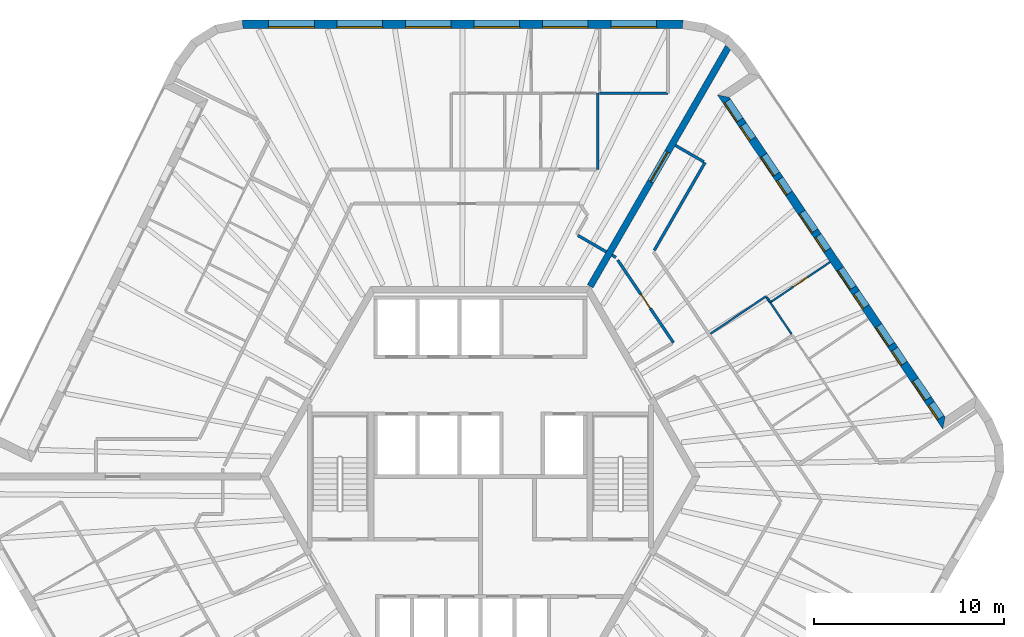
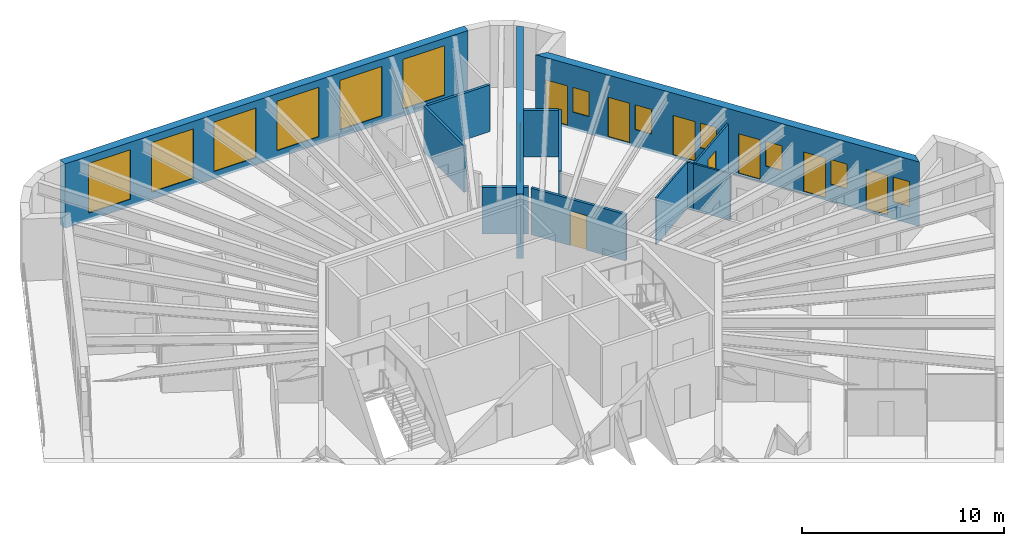
# One storey, part 9 of 11: 14 walls, 12 windows, 9 doors, 21 openings.
"""IFC4 building model written with IfcOpenShell, lengths in metres."""

import ifcopenshell
import ifcopenshell.guid

model = None  # the IFC model being written
_history = None  # IfcOwnerHistory: only IFC2X3 demands one
_inside = {}  # id of a spatial element -> (the spatial element, [elements in it])
_under = {}  # id of a project, library or spatial element -> (it, [spatial elements below it])
_declared = {}  # id of a project -> (the project, [libraries it declares])
_typed = {}  # id of a type object -> (the type object, [elements of that type])
_made_of = {}  # id of a material, layer set ... -> (it, [elements and type objects made of it])


def new_model(schema):
    """Start an empty IFC model of exactly this schema.

    Asked for "IFC4X3", IfcOpenShell would pick the latest addendum, in which some entities
    have other attributes; the version numbers below select the first issue.
    IFC2X3 requires an IfcOwnerHistory on every rooted entity: one is made here for all.
    """
    global model, _history
    if schema == "IFC4X3":
        model = ifcopenshell.file(schema_version=(4, 3, 0, 0))
    else:
        model = ifcopenshell.file(schema=schema)
    _inside.clear()
    _under.clear()
    _declared.clear()
    _typed.clear()
    _made_of.clear()
    _history = None
    if model.schema == "IFC2X3":
        org = make("IfcOrganization", Name="unknown")
        user = make(
            "IfcPersonAndOrganization",
            ThePerson=make("IfcPerson", FamilyName="unknown"),
            TheOrganization=org,
        )
        app = make(
            "IfcApplication",
            ApplicationDeveloper=org,
            Version="unknown",
            ApplicationFullName="unknown",
            ApplicationIdentifier="unknown",
        )
        _history = make(
            "IfcOwnerHistory",
            OwningUser=user,
            OwningApplication=app,
            ChangeAction="ADDED",
            CreationDate=0,
        )
    return model


def make(cls, **values):
    """One entity of the class cls with the attributes given. An attribute that is None is left unset."""
    return model.create_entity(
        cls, **{name: value for name, value in values.items() if value is not None}
    )


def rooted(cls, **values):
    """An entity with a GlobalId (a new one), such as an element, a storey or a relation."""
    return make(cls, GlobalId=ifcopenshell.guid.new(), OwnerHistory=_history, **values)


def si_unit(unit_type, name, prefix=None):
    """IfcSIUnit, for example si_unit("LENGTHUNIT", "METRE", prefix="MILLI")."""
    return make("IfcSIUnit", UnitType=unit_type, Prefix=prefix, Name=name)


def assignment(units):
    """IfcUnitAssignment: the units of a project."""
    return None if units is None else make("IfcUnitAssignment", Units=units)


def point(xyz):
    """IfcCartesianPoint."""
    return None if xyz is None else make("IfcCartesianPoint", Coordinates=xyz)


def direction(xyz):
    """IfcDirection."""
    return None if xyz is None else make("IfcDirection", DirectionRatios=xyz)


def frame(location, z_axis=None, x_axis=None):
    """IfcAxis2Placement3D, a coordinate frame: its origin and axes. An axis left out is left unset."""
    return make(
        "IfcAxis2Placement3D",
        Location=point(location),
        Axis=direction(z_axis),
        RefDirection=direction(x_axis),
    )


def frame_2d(location, x_axis=None):
    """IfcAxis2Placement2D, a coordinate frame in the plane: its origin and x axis."""
    return make(
        "IfcAxis2Placement2D", Location=point(location), RefDirection=direction(x_axis)
    )


def origin():
    """The frame at (0, 0, 0) with its axes left unset."""
    return frame((0.0, 0.0, 0.0))


def place(relative_to, where):
    """IfcLocalPlacement: puts the frame where relative to a parent placement (None: the world)."""
    return make(
        "IfcLocalPlacement", PlacementRelTo=relative_to, RelativePlacement=where
    )


def context(
    kind, dimensions, precision=None, world=None, true_north=None, identifier=None
):
    """IfcGeometricRepresentationContext, for example the 3D "Model" context."""
    return make(
        "IfcGeometricRepresentationContext",
        ContextIdentifier=identifier,
        ContextType=kind,
        CoordinateSpaceDimension=dimensions,
        Precision=precision,
        WorldCoordinateSystem=world,
        TrueNorth=true_north,
    )


def subcontext(parent, identifier, kind, view, scale=None):
    """IfcGeometricRepresentationSubContext, for example "Body" below "Model"."""
    return make(
        "IfcGeometricRepresentationSubContext",
        ContextIdentifier=identifier,
        ContextType=kind,
        ParentContext=parent,
        TargetScale=scale,
        TargetView=view,
    )


def project(units=None, contexts=None):
    """IfcProject with its units and contexts."""
    return rooted(
        "IfcProject",
        Name="project",
        RepresentationContexts=contexts,
        UnitsInContext=assignment(units),
    )


def spatial(cls, under=None, at=None, **own):
    """A site, building, storey or space (cls), placed at a placement, below another one or the project."""
    s = rooted(cls, ObjectPlacement=at, **own)
    if under is not None:
        _under.setdefault(under.id(), (under, []))[1].append(s)
    return s


def polyline(points):
    """IfcPolyline through the points."""
    return make("IfcPolyline", Points=[point(p) for p in points])


def profile(cls, at=None, kind="AREA", **sizes):
    """A parametric profile (cls). Its sizes go by their IFC names, for example OverallWidth=200.0."""
    return make(cls, ProfileType=kind, Position=at, **sizes)


def rectangle(**sizes):
    """IfcRectangleProfileDef."""
    return profile("IfcRectangleProfileDef", **sizes)


def outline(outer, holes=None, kind="AREA"):
    """IfcArbitraryClosedProfileDef: a profile drawn as a closed curve; with holes, ...WithVoids."""
    if holes is None:
        return make("IfcArbitraryClosedProfileDef", ProfileType=kind, OuterCurve=outer)
    return make(
        "IfcArbitraryProfileDefWithVoids",
        ProfileType=kind,
        OuterCurve=outer,
        InnerCurves=holes,
    )


def extrude(swept, where, along, depth):
    """IfcExtrudedAreaSolid: the profile swept, set in the frame where, extruded along a direction by depth."""
    return make(
        "IfcExtrudedAreaSolid",
        SweptArea=swept,
        Position=where,
        ExtrudedDirection=direction(along),
        Depth=depth,
    )


def shape(context_of_items, identifier, shape_type, items):
    """IfcShapeRepresentation: the items that make up one representation, for example the "Body"."""
    return make(
        "IfcShapeRepresentation",
        ContextOfItems=context_of_items,
        RepresentationIdentifier=identifier,
        RepresentationType=shape_type,
        Items=items,
    )


def material(Name=None, Category=None):
    """IfcMaterial."""
    return make("IfcMaterial", Name=Name, Category=Category)


def layer(
    of_material, thickness, ventilated=None, Name=None, Category=None, Priority=None
):
    """IfcMaterialLayer: one layer of a wall or slab, of a material (None: an air gap)."""
    return make(
        "IfcMaterialLayer",
        Material=of_material,
        LayerThickness=thickness,
        IsVentilated=ventilated,
        Name=Name,
        Category=Category,
        Priority=Priority,
    )


def layer_set(layers, Name=None):
    """IfcMaterialLayerSet."""
    return make("IfcMaterialLayerSet", MaterialLayers=layers, LayerSetName=Name)


def made_of(thing, what):
    """Note that an element or type object is made of a material, layer set ...; save() writes the relation."""
    if what is not None:
        _made_of.setdefault(what.id(), (what, []))[1].append(thing)
    return thing


def type_object(cls, material=None, **own):
    """A type object (cls), such as IfcWallType, which elements share."""
    return made_of(rooted(cls, **own), material)


def element(
    cls,
    number,
    at=None,
    inside=None,
    cuts=None,
    type_object=None,
    material=None,
    context=None,
    identifier="Body",
    shape_type=None,
    held_by="IfcProductDefinitionShape",
    body=None,
    shapes=None,
    **own,
):
    """One element of the class cls, such as IfcWall. Its Tag is "e" and its number.

    at: its placement. inside: the storey or other place that contains it. cuts: it is an
    opening in that element (IfcRelVoidsElement). A single representation is given by context,
    identifier, shape_type and body (its items); several are given by shapes. held_by: the class
    of the entity that holds the representations. save() writes the other relations.
    """
    e = rooted(cls, Tag="e%d" % number, ObjectPlacement=at, **own)
    if body is not None:
        shapes = [shape(context, identifier, shape_type, body)]
    if shapes is not None:
        e.Representation = make(held_by, Representations=shapes)
    if inside is not None:
        _inside.setdefault(inside.id(), (inside, []))[1].append(e)
    if cuts is not None:
        rooted(
            "IfcRelVoidsElement", RelatingBuildingElement=cuts, RelatedOpeningElement=e
        )
    if type_object is not None:
        _typed.setdefault(type_object.id(), (type_object, []))[1].append(e)
    return made_of(e, material)


def fill(opening, filler):
    """IfcRelFillsElement: the door or window that sits in an opening."""
    return rooted(
        "IfcRelFillsElement",
        RelatingOpeningElement=opening,
        RelatedBuildingElement=filler,
    )


def aggregate(whole, parts):
    """IfcRelAggregates: a whole, such as a stair, and the parts it consists of."""
    return rooted("IfcRelAggregates", RelatingObject=whole, RelatedObjects=parts)


def save(model, path):
    """Write the relations noted so far, then the file.

    IfcRelAggregates (storeys below a building ...), IfcRelContainedInSpatialStructure (elements
    in a storey), IfcRelDefinesByType, IfcRelAssociatesMaterial and IfcRelDeclares: one each for
    every whole, place, type object, material and project.
    """
    for whole, parts in _under.values():
        aggregate(whole, parts)
    for where, things in _inside.values():
        rooted(
            "IfcRelContainedInSpatialStructure",
            RelatedElements=things,
            RelatingStructure=where,
        )
    for kind, things in _typed.values():
        rooted("IfcRelDefinesByType", RelatedObjects=things, RelatingType=kind)
    for what, things in _made_of.values():
        rooted("IfcRelAssociatesMaterial", RelatedObjects=things, RelatingMaterial=what)
    for by, libraries in _declared.values():
        rooted("IfcRelDeclares", RelatingContext=by, RelatedDefinitions=libraries)
    model.write(path)


model = new_model("IFC4")

# Units and contexts
model_context = context("Model", 3, precision=1e-05, world=origin(), true_north=direction((0.0, 1.0)))
body_context = subcontext(model_context, "Body", "Model", "MODEL_VIEW")
ifc_project = project(units=[si_unit("LENGTHUNIT", "METRE"), si_unit("AREAUNIT", "SQUARE_METRE"), si_unit("VOLUMEUNIT", "CUBIC_METRE"), si_unit("PLANEANGLEUNIT", "RADIAN"), si_unit("MASSUNIT", "GRAM", prefix="KILO")], contexts=[model_context])

# Site, building, storey
site_placement = place(None, origin())
site = spatial("IfcSite", under=ifc_project, at=site_placement, CompositionType="ELEMENT")
building_placement = place(site_placement, origin())
building = spatial("IfcBuilding", under=site, at=building_placement, Name="Tarnside Tower", CompositionType="ELEMENT")
storey_placement = place(building_placement, frame((0.0, 0.0, 353.39990234375)))
storey = spatial("IfcBuildingStorey", under=building, at=storey_placement, Name="L85", CompositionType="ELEMENT", Elevation=353.39990234375)

# Walls
ifc_material_1 = material(Name="Gypsum board partition on steel studs", Category="steel")
ifc_layer_1 = layer(ifc_material_1, 0.10009765625)
ifc_layer_set_1 = layer_set([ifc_layer_1], Name="Bathroom wall 100")
wall_type_1 = type_object("IfcWallType", Name="Bathroom wall 100", PredefinedType="PARTITIONING", material=ifc_layer_set_1)
wall_1_placement = place(storey_placement, frame((12.09619140625, 7.50537109375, 0.0), z_axis=(0.0, 0.0, 1.0), x_axis=(0.829065408555, 0.559151632687, 0.0)))
element("IfcWall", 1, at=wall_1_placement, inside=storey, type_object=wall_type_1, Name="Bathroom wall 27120", PredefinedType="PARTITIONING", context=body_context, shape_type="SweptSolid", body=[
    extrude(rectangle(XDim=3.52490234375, YDim=0.10009765625, at=frame_2d((1.762451171875, 0.0))), origin(), (0.0, 0.0, 1.0), 2.820068359375),
])
wall_2_placement = place(storey_placement, frame((15.04638671875, 9.43505859375, 0.0), z_axis=(0.0, 0.0, 1.0), x_axis=(0.559141668278, -0.829072128826, 0.0)))
element("IfcWall", 2, at=wall_2_placement, inside=storey, type_object=wall_type_1, Name="Bathroom wall 27121", PredefinedType="PARTITIONING", context=body_context, shape_type="SweptSolid", body=[
    extrude(rectangle(XDim=0.341796875, YDim=0.10009765625, at=frame_2d((0.1708984375, 0.0))), origin(), (0.0, 0.0, 1.0), 2.820068359375),
])
wall_3_placement = place(storey_placement, frame((15.2353515625, 9.155029296875, 0.0), z_axis=(0.0, 0.0, 1.0), x_axis=(0.559199850123, -0.829032886937, 0.0)))
element("IfcWall", 3, at=wall_3_placement, inside=storey, type_object=wall_type_1, Name="Bathroom wall 27130", PredefinedType="PARTITIONING", context=body_context, shape_type="SweptSolid", body=[
    extrude(rectangle(XDim=2.01220703125, YDim=0.10009765625, at=frame_2d((1.006103515625, 0.0))), origin(), (0.0, 0.0, 1.0), 2.820068359375),
])

# Wall, opening, door
ifc_material_2 = material(Name="Concrete C50/60", Category="concrete")
ifc_layer_2 = layer(ifc_material_2, 0.35009765625)
ifc_layer_set_2 = layer_set([ifc_layer_2], Name="Core wall Z4 350 C50/60")
wall_type_2 = type_object("IfcWallType", Name="Core wall Z4 350 C50/60", PredefinedType="SHEAR", material=ifc_layer_set_2)
wall_4_placement = place(storey_placement, frame((5.7734375, 10.0, -0.14990234375), z_axis=(0.0, 0.0, 1.0), x_axis=(0.500007911273, 0.866020836161, 0.0)))
wall_4 = element("IfcWall", 4, at=wall_4_placement, inside=storey, type_object=wall_type_2, Name="L85 spine wall 1", PredefinedType="SHEAR", context=body_context, shape_type="SweptSolid", body=[
    extrude(rectangle(XDim=14.510498046875, YDim=0.35009765625, at=frame_2d((7.25537109375, 0.0))), origin(), (0.0, 0.0, 1.0), 3.89990234375),
])
opening_1_placement = place(wall_4_placement, frame((6.355224609375, 0.0, 0.14990234375)))
opening_1 = element("IfcOpeningElement", 5, at=opening_1_placement, cuts=wall_4, Name="Opening CD-SPN", PredefinedType="OPENING", context=body_context, shape_type="SweptSolid", body=[
    extrude(rectangle(XDim=1.800048828125, YDim=2.39990234375, at=frame_2d((0.89990234375, 1.199951171875))), frame((0.0, 0.18505859375, 0.0), z_axis=(0.0, -1.0, 0.0), x_axis=(1.0, 0.0, 0.0)), (0.0, 0.0, 1.0), 0.3701171875),
])
ifc_material_3 = material(Name="Steel fire door", Category="steel")
door_type_1 = type_object("IfcDoorType", Name="Spine passage double door FD60 1800x2400", OperationType="NOTDEFINED", PredefinedType="DOOR", material=ifc_material_3)
door_1_placement = place(opening_1_placement, origin())
door_1 = element("IfcDoor", 6, at=door_1_placement, inside=storey, type_object=door_type_1, Name="L85 spine passage door 1", OperationType="DOUBLE_DOOR_SINGLE_SWING", OverallHeight=2.39990234375, OverallWidth=1.800048828125, PredefinedType="DOOR", context=body_context, shape_type="SweptSolid", body=[
    extrude(rectangle(XDim=1.800048828125, YDim=2.39990234375, at=frame_2d((0.89990234375, 1.199951171875))), frame((0.0, 0.02490234375, 0.0), z_axis=(0.0, -1.0, 0.0), x_axis=(1.0, 0.0, 0.0)), (0.0, 0.0, 1.0), 0.050048828125),
])
fill(opening_1, door_1)

# Walls
ifc_layer_3 = layer(ifc_material_1, 0.14990234375)
ifc_layer_set_3 = layer_set([ifc_layer_3], Name="Corridor wall 150 EI 60")
wall_type_3 = type_object("IfcWallType", Name="Corridor wall 150 EI 60", PredefinedType="PARTITIONING", material=ifc_layer_set_3)
wall_5_placement = place(storey_placement, frame((6.174560546875, 20.14990234375, 0.0), z_axis=(0.0, 0.0, 1.0), x_axis=(0.0, -1.0, 0.0)))
element("IfcWall", 7, at=wall_5_placement, inside=storey, type_object=wall_type_3, Name="Corridor wall 27003", PredefinedType="PARTITIONING", context=body_context, shape_type="SweptSolid", body=[
    extrude(rectangle(XDim=4.0, YDim=0.14990234375, at=frame_2d((2.0, 0.0))), origin(), (0.0, 0.0, 1.0), 2.820068359375),
])
wall_6_placement = place(storey_placement, frame((9.8671875, 20.14990234375, 0.0), z_axis=(0.0, 0.0, 1.0), x_axis=(-1.0, 0.0, 0.0)))
element("IfcWall", 8, at=wall_6_placement, inside=storey, type_object=wall_type_3, Name="Corridor wall 27006", PredefinedType="PARTITIONING", context=body_context, shape_type="SweptSolid", body=[
    extrude(rectangle(XDim=3.598876953125, YDim=0.14990234375, at=frame_2d((1.79931640625, 0.0))), origin(), (0.0, 0.0, 1.0), 2.820068359375),
])
wall_7_placement = place(storey_placement, frame((5.124755859375, 12.676513671875, 0.0), z_axis=(0.0, 0.0, 1.0), x_axis=(0.866013532718, -0.500020560727, 0.0)))
element("IfcWall", 9, at=wall_7_placement, inside=storey, type_object=wall_type_3, Name="Corridor wall 27023", PredefinedType="PARTITIONING", context=body_context, shape_type="SweptSolid", body=[
    extrude(rectangle(XDim=1.72509765625, YDim=0.14990234375, at=frame_2d((0.862548828125, 0.0))), origin(), (0.0, 0.0, 1.0), 2.820068359375),
])
wall_8_placement = place(storey_placement, frame((9.14208984375, 11.884765625, 0.0), z_axis=(0.0, 0.0, 1.0), x_axis=(0.500004822225, 0.866022619654, 0.0)))
element("IfcWall", 10, at=wall_8_placement, inside=storey, type_object=wall_type_3, Name="Corridor wall 27053", PredefinedType="PARTITIONING", context=body_context, shape_type="SweptSolid", body=[
    extrude(rectangle(XDim=5.3388671875, YDim=0.14990234375, at=frame_2d((2.66943359375, 0.0))), origin(), (0.0, 0.0, 1.0), 2.820068359375),
])
wall_9_placement = place(storey_placement, frame((11.74658203125, 16.545654296875, 0.0), z_axis=(0.0, 0.0, 1.0), x_axis=(-0.866013532718, 0.500020560727, 0.0)))
element("IfcWall", 11, at=wall_9_placement, inside=storey, type_object=wall_type_3, Name="Corridor wall 27054", PredefinedType="PARTITIONING", context=body_context, shape_type="SweptSolid", body=[
    extrude(rectangle(XDim=1.72509765625, YDim=0.14990234375, at=frame_2d((0.862548828125, 0.0))), origin(), (0.0, 0.0, 1.0), 2.820068359375),
])
wall_10_placement = place(storey_placement, frame((6.921875, 11.638916015625, 0.0), z_axis=(0.0, 0.0, 1.0), x_axis=(0.866254745882, -0.499602557277, 0.0)))
element("IfcWall", 12, at=wall_10_placement, inside=storey, type_object=wall_type_3, Name="Corridor wall 27067", PredefinedType="PARTITIONING", context=body_context, shape_type="SweptSolid", body=[
    extrude(rectangle(XDim=0.235107421875, YDim=0.14990234375, at=frame_2d((0.11767578125, 0.0))), origin(), (0.0, 0.0, 1.0), 2.820068359375),
])

# Wall, opening, door
wall_11_placement = place(storey_placement, frame((7.22119140625, 11.379638671875, 0.0), z_axis=(0.0, 0.0, 1.0), x_axis=(0.559200548931, -0.829032415576, 0.0)))
wall_11 = element("IfcWall", 13, at=wall_11_placement, inside=storey, type_object=wall_type_3, Name="Corridor wall 27068", PredefinedType="PARTITIONING", context=body_context, shape_type="SweptSolid", body=[
    extrude(rectangle(XDim=5.236083984375, YDim=0.14990234375, at=frame_2d((2.6181640625, 0.0))), origin(), (0.0, 0.0, 1.0), 2.820068359375),
])
opening_2_placement = place(wall_11_placement, frame((2.16796875, 0.0, 0.0)))
opening_2 = element("IfcOpeningElement", 14, at=opening_2_placement, cuts=wall_11, Name="Opening D-S1", PredefinedType="OPENING", context=body_context, shape_type="SweptSolid", body=[
    extrude(rectangle(XDim=0.89990234375, YDim=2.10009765625, at=frame_2d((0.449951171875, 1.050048828125))), frame((0.0, 0.0849609375, 0.0), z_axis=(0.0, -1.0, 0.0), x_axis=(1.0, 0.0, 0.0)), (0.0, 0.0, 1.0), 0.169921875),
])
ifc_material_4 = material(Name="Timber door leaf", Category="wood")
door_type_2 = type_object("IfcDoorType", Name="Service room door 900 FD30S", OperationType="NOTDEFINED", PredefinedType="DOOR", material=ifc_material_4)
door_2_placement = place(opening_2_placement, origin())
door_2 = element("IfcDoor", 15, at=door_2_placement, inside=storey, type_object=door_type_2, Name="Service door 27065", OperationType="SINGLE_SWING_RIGHT", OverallHeight=2.10009765625, OverallWidth=0.89990234375, PredefinedType="DOOR", context=body_context, shape_type="SweptSolid", body=[
    extrude(rectangle(XDim=0.89990234375, YDim=2.10009765625, at=frame_2d((0.449951171875, 1.050048828125))), frame((0.0, 0.02490234375, 0.0), z_axis=(0.0, -1.0, 0.0), x_axis=(1.0, 0.0, 0.0)), (0.0, 0.0, 1.0), 0.050048828125),
])
fill(opening_2, door_2)

# Wall, openings, doors, windows
ifc_material_5 = material(Name="Dark zinc cladding")
ifc_layer_4 = layer(ifc_material_5, 0.10205078125)
ifc_material_6 = material(Name="Concrete C60/75 precast", Category="concrete")
ifc_layer_5 = layer(ifc_material_6, 0.248046875)
ifc_material_7 = material(Name="Mineral wool insulation")
ifc_layer_6 = layer(ifc_material_7, 0.10009765625)
ifc_layer_set_4 = layer_set([ifc_layer_4, ifc_layer_5, ifc_layer_6], Name="Loggia wall 450 zinc faced")
wall_type_4 = type_object("IfcWallType", Name="Loggia wall 450 zinc faced", PredefinedType="SOLIDWALL", material=ifc_layer_set_4)
wall_12_placement = place(storey_placement, frame((24.36962890625, 2.810546875, -0.14990234375), z_axis=(0.0, 0.0, 1.0), x_axis=(-0.559187034749, 0.829041531027, 0.0)))
wall_12 = element("IfcWall", 16, at=wall_12_placement, inside=storey, type_object=wall_type_4, Name="Tube wall L85 F6 back 30", PredefinedType="SOLIDWALL", context=body_context, shape_type="SweptSolid", body=[
    extrude(outline(polyline([(0.224853515625, -0.22509765625), (20.50634765625, -0.22509765625), (20.95654296875, 0.22509765625), (-0.224853515625, 0.22509765625), (0.224853515625, -0.22509765625)])), origin(), (0.0, 0.0, 1.0), 3.89990234375),
])
opening_3_placement = place(wall_12_placement, frame((0.324951171875, 0.0, 1.050048828125)))
opening_3 = element("IfcOpeningElement", 17, at=opening_3_placement, cuts=wall_12, Name="Opening WL450", PredefinedType="OPENING", context=body_context, shape_type="SweptSolid", body=[
    extrude(rectangle(XDim=0.89990234375, YDim=1.5, at=frame_2d((0.449951171875, 0.75))), frame((0.0, 0.23486328125, 0.0), z_axis=(0.0, -1.0, 0.0), x_axis=(1.0, 0.0, 0.0)), (0.0, 0.0, 1.0), 0.469970703125),
])
opening_4_placement = place(wall_12_placement, frame((1.52490234375, 0.0, 0.14990234375)))
opening_4 = element("IfcOpeningElement", 18, at=opening_4_placement, cuts=wall_12, Name="Opening DB450", PredefinedType="OPENING", context=body_context, shape_type="SweptSolid", body=[
    extrude(rectangle(XDim=1.199951171875, YDim=2.39990234375, at=frame_2d((0.60009765625, 1.199951171875))), frame((0.0, 0.23486328125, 0.0), z_axis=(0.0, -1.0, 0.0), x_axis=(1.0, 0.0, 0.0)), (0.0, 0.0, 1.0), 0.469970703125),
])
opening_5_placement = place(wall_12_placement, frame((3.765869140625, 0.0, 1.050048828125)))
opening_5 = element("IfcOpeningElement", 19, at=opening_5_placement, cuts=wall_12, Name="Opening WL450", PredefinedType="OPENING", context=body_context, shape_type="SweptSolid", body=[
    extrude(rectangle(XDim=0.89990234375, YDim=1.5, at=frame_2d((0.449951171875, 0.75))), frame((0.0, 0.23486328125, 0.0), z_axis=(0.0, -1.0, 0.0), x_axis=(1.0, 0.0, 0.0)), (0.0, 0.0, 1.0), 0.469970703125),
])
opening_6_placement = place(wall_12_placement, frame((4.9658203125, 0.0, 0.14990234375)))
opening_6 = element("IfcOpeningElement", 20, at=opening_6_placement, cuts=wall_12, Name="Opening DB450", PredefinedType="OPENING", context=body_context, shape_type="SweptSolid", body=[
    extrude(rectangle(XDim=1.199951171875, YDim=2.39990234375, at=frame_2d((0.60009765625, 1.199951171875))), frame((0.0, 0.23486328125, 0.0), z_axis=(0.0, -1.0, 0.0), x_axis=(1.0, 0.0, 0.0)), (0.0, 0.0, 1.0), 0.469970703125),
])
opening_7_placement = place(wall_12_placement, frame((7.36572265625, 0.0, 1.050048828125)))
opening_7 = element("IfcOpeningElement", 21, at=opening_7_placement, cuts=wall_12, Name="Opening WL450", PredefinedType="OPENING", context=body_context, shape_type="SweptSolid", body=[
    extrude(rectangle(XDim=0.89990234375, YDim=1.5, at=frame_2d((0.449951171875, 0.75))), frame((0.0, 0.23486328125, 0.0), z_axis=(0.0, -1.0, 0.0), x_axis=(1.0, 0.0, 0.0)), (0.0, 0.0, 1.0), 0.469970703125),
])
opening_8_placement = place(wall_12_placement, frame((8.56591796875, 0.0, 0.14990234375)))
opening_8 = element("IfcOpeningElement", 22, at=opening_8_placement, cuts=wall_12, Name="Opening DB450", PredefinedType="OPENING", context=body_context, shape_type="SweptSolid", body=[
    extrude(rectangle(XDim=1.199951171875, YDim=2.39990234375, at=frame_2d((0.60009765625, 1.199951171875))), frame((0.0, 0.23486328125, 0.0), z_axis=(0.0, -1.0, 0.0), x_axis=(1.0, 0.0, 0.0)), (0.0, 0.0, 1.0), 0.469970703125),
])
opening_9_placement = place(wall_12_placement, frame((10.9658203125, 0.0, 1.050048828125)))
opening_9 = element("IfcOpeningElement", 23, at=opening_9_placement, cuts=wall_12, Name="Opening WL450", PredefinedType="OPENING", context=body_context, shape_type="SweptSolid", body=[
    extrude(rectangle(XDim=0.89990234375, YDim=1.5, at=frame_2d((0.449951171875, 0.75))), frame((0.0, 0.23486328125, 0.0), z_axis=(0.0, -1.0, 0.0), x_axis=(1.0, 0.0, 0.0)), (0.0, 0.0, 1.0), 0.469970703125),
])
opening_10_placement = place(wall_12_placement, frame((12.165771484375, 0.0, 0.14990234375)))
opening_10 = element("IfcOpeningElement", 24, at=opening_10_placement, cuts=wall_12, Name="Opening DB450", PredefinedType="OPENING", context=body_context, shape_type="SweptSolid", body=[
    extrude(rectangle(XDim=1.199951171875, YDim=2.39990234375, at=frame_2d((0.60009765625, 1.199951171875))), frame((0.0, 0.23486328125, 0.0), z_axis=(0.0, -1.0, 0.0), x_axis=(1.0, 0.0, 0.0)), (0.0, 0.0, 1.0), 0.469970703125),
])
opening_11_placement = place(wall_12_placement, frame((14.56591796875, 0.0, 1.050048828125)))
opening_11 = element("IfcOpeningElement", 25, at=opening_11_placement, cuts=wall_12, Name="Opening WL450", PredefinedType="OPENING", context=body_context, shape_type="SweptSolid", body=[
    extrude(rectangle(XDim=0.89990234375, YDim=1.5, at=frame_2d((0.449951171875, 0.75))), frame((0.0, 0.23486328125, 0.0), z_axis=(0.0, -1.0, 0.0), x_axis=(1.0, 0.0, 0.0)), (0.0, 0.0, 1.0), 0.469970703125),
])
opening_12_placement = place(wall_12_placement, frame((15.765869140625, 0.0, 0.14990234375)))
opening_12 = element("IfcOpeningElement", 26, at=opening_12_placement, cuts=wall_12, Name="Opening DB450", PredefinedType="OPENING", context=body_context, shape_type="SweptSolid", body=[
    extrude(rectangle(XDim=1.199951171875, YDim=2.39990234375, at=frame_2d((0.60009765625, 1.199951171875))), frame((0.0, 0.23486328125, 0.0), z_axis=(0.0, -1.0, 0.0), x_axis=(1.0, 0.0, 0.0)), (0.0, 0.0, 1.0), 0.469970703125),
])
opening_13_placement = place(wall_12_placement, frame((18.006591796875, 0.0, 1.050048828125)))
opening_13 = element("IfcOpeningElement", 27, at=opening_13_placement, cuts=wall_12, Name="Opening WL450", PredefinedType="OPENING", context=body_context, shape_type="SweptSolid", body=[
    extrude(rectangle(XDim=0.89990234375, YDim=1.5, at=frame_2d((0.449951171875, 0.75))), frame((0.0, 0.23486328125, 0.0), z_axis=(0.0, -1.0, 0.0), x_axis=(1.0, 0.0, 0.0)), (0.0, 0.0, 1.0), 0.469970703125),
])
opening_14_placement = place(wall_12_placement, frame((19.20654296875, 0.0, 0.14990234375)))
opening_14 = element("IfcOpeningElement", 28, at=opening_14_placement, cuts=wall_12, Name="Opening DB450", PredefinedType="OPENING", context=body_context, shape_type="SweptSolid", body=[
    extrude(rectangle(XDim=1.199951171875, YDim=2.39990234375, at=frame_2d((0.60009765625, 1.199951171875))), frame((0.0, 0.23486328125, 0.0), z_axis=(0.0, -1.0, 0.0), x_axis=(1.0, 0.0, 0.0)), (0.0, 0.0, 1.0), 0.469970703125),
])
ifc_material_8 = material(Name="Aluminium-framed double glazing", Category="aluminium")
door_type_3 = type_object("IfcDoorType", Name="Balcony sliding door 1200 x 2400 in 450 wall", OperationType="SLIDING_TO_LEFT", PredefinedType="DOOR", material=ifc_material_8)
door_3_placement = place(opening_4_placement, frame((0.0, 0.150146484375, 0.0)))
door_3 = element("IfcDoor", 29, at=door_3_placement, inside=storey, type_object=door_type_3, Name="E.BD.L85.F6.00", OperationType="SLIDING_TO_LEFT", OverallHeight=2.39990234375, OverallWidth=1.199951171875, PredefinedType="DOOR", context=body_context, shape_type="SweptSolid", body=[
    extrude(rectangle(XDim=1.199951171875, YDim=2.39990234375, at=frame_2d((0.60009765625, 1.199951171875))), frame((0.0, 0.02490234375, 0.0), z_axis=(0.0, -1.0, 0.0), x_axis=(1.0, 0.0, 0.0)), (0.0, 0.0, 1.0), 0.050048828125),
])
fill(opening_4, door_3)
door_4_placement = place(opening_6_placement, frame((0.0, 0.150146484375, 0.0)))
door_4 = element("IfcDoor", 30, at=door_4_placement, inside=storey, type_object=door_type_3, Name="E.BD.L85.F6.01", OperationType="SLIDING_TO_LEFT", OverallHeight=2.39990234375, OverallWidth=1.199951171875, PredefinedType="DOOR", context=body_context, shape_type="SweptSolid", body=[
    extrude(rectangle(XDim=1.199951171875, YDim=2.39990234375, at=frame_2d((0.60009765625, 1.199951171875))), frame((0.0, 0.02490234375, 0.0), z_axis=(0.0, -1.0, 0.0), x_axis=(1.0, 0.0, 0.0)), (0.0, 0.0, 1.0), 0.050048828125),
])
fill(opening_6, door_4)
door_5_placement = place(opening_8_placement, frame((0.0, 0.150146484375, 0.0)))
door_5 = element("IfcDoor", 31, at=door_5_placement, inside=storey, type_object=door_type_3, Name="E.BD.L85.F6.02", OperationType="SLIDING_TO_LEFT", OverallHeight=2.39990234375, OverallWidth=1.199951171875, PredefinedType="DOOR", context=body_context, shape_type="SweptSolid", body=[
    extrude(rectangle(XDim=1.199951171875, YDim=2.39990234375, at=frame_2d((0.60009765625, 1.199951171875))), frame((0.0, 0.02490234375, 0.0), z_axis=(0.0, -1.0, 0.0), x_axis=(1.0, 0.0, 0.0)), (0.0, 0.0, 1.0), 0.050048828125),
])
fill(opening_8, door_5)
door_6_placement = place(opening_10_placement, frame((0.0, 0.150146484375, 0.0)))
door_6 = element("IfcDoor", 32, at=door_6_placement, inside=storey, type_object=door_type_3, Name="E.BD.L85.F6.03", OperationType="SLIDING_TO_LEFT", OverallHeight=2.39990234375, OverallWidth=1.199951171875, PredefinedType="DOOR", context=body_context, shape_type="SweptSolid", body=[
    extrude(rectangle(XDim=1.199951171875, YDim=2.39990234375, at=frame_2d((0.60009765625, 1.199951171875))), frame((0.0, 0.02490234375, 0.0), z_axis=(0.0, -1.0, 0.0), x_axis=(1.0, 0.0, 0.0)), (0.0, 0.0, 1.0), 0.050048828125),
])
fill(opening_10, door_6)
door_7_placement = place(opening_12_placement, frame((0.0, 0.150146484375, 0.0)))
door_7 = element("IfcDoor", 33, at=door_7_placement, inside=storey, type_object=door_type_3, Name="E.BD.L85.F6.04", OperationType="SLIDING_TO_LEFT", OverallHeight=2.39990234375, OverallWidth=1.199951171875, PredefinedType="DOOR", context=body_context, shape_type="SweptSolid", body=[
    extrude(rectangle(XDim=1.199951171875, YDim=2.39990234375, at=frame_2d((0.60009765625, 1.199951171875))), frame((0.0, 0.02490234375, 0.0), z_axis=(0.0, -1.0, 0.0), x_axis=(1.0, 0.0, 0.0)), (0.0, 0.0, 1.0), 0.050048828125),
])
fill(opening_12, door_7)
door_8_placement = place(opening_14_placement, frame((0.0, 0.150146484375, 0.0)))
door_8 = element("IfcDoor", 34, at=door_8_placement, inside=storey, type_object=door_type_3, Name="E.BD.L85.F6.05", OperationType="SLIDING_TO_LEFT", OverallHeight=2.39990234375, OverallWidth=1.199951171875, PredefinedType="DOOR", context=body_context, shape_type="SweptSolid", body=[
    extrude(rectangle(XDim=1.199951171875, YDim=2.39990234375, at=frame_2d((0.60009765625, 1.199951171875))), frame((0.0, 0.02490234375, 0.0), z_axis=(0.0, -1.0, 0.0), x_axis=(1.0, 0.0, 0.0)), (0.0, 0.0, 1.0), 0.050048828125),
])
fill(opening_14, door_8)
window_type_1 = type_object("IfcWindowType", Name="Loggia window 900 x 1500 in 450 wall", PartitioningType="SINGLE_PANEL", PredefinedType="WINDOW", material=ifc_material_8)
window_1_placement = place(opening_3_placement, frame((0.0, 0.1552734375, 0.0)))
window_1 = element("IfcWindow", 35, at=window_1_placement, inside=storey, type_object=window_type_1, Name="E.LW.L85.F6.00", OverallHeight=1.5, OverallWidth=0.89990234375, PartitioningType="SINGLE_PANEL", PredefinedType="WINDOW", context=body_context, shape_type="SweptSolid", body=[
    extrude(rectangle(XDim=0.89990234375, YDim=1.5, at=frame_2d((0.449951171875, 0.75))), frame((0.0, 0.030029296875, 0.0), z_axis=(0.0, -1.0, 0.0), x_axis=(1.0, 0.0, 0.0)), (0.0, 0.0, 1.0), 0.06005859375),
])
fill(opening_3, window_1)
window_2_placement = place(opening_5_placement, frame((0.0, 0.1552734375, 0.0)))
window_2 = element("IfcWindow", 36, at=window_2_placement, inside=storey, type_object=window_type_1, Name="E.LW.L85.F6.01", OverallHeight=1.5, OverallWidth=0.89990234375, PartitioningType="SINGLE_PANEL", PredefinedType="WINDOW", context=body_context, shape_type="SweptSolid", body=[
    extrude(rectangle(XDim=0.89990234375, YDim=1.5, at=frame_2d((0.449951171875, 0.75))), frame((0.0, 0.030029296875, 0.0), z_axis=(0.0, -1.0, 0.0), x_axis=(1.0, 0.0, 0.0)), (0.0, 0.0, 1.0), 0.06005859375),
])
fill(opening_5, window_2)
window_3_placement = place(opening_7_placement, frame((0.0, 0.1552734375, 0.0)))
window_3 = element("IfcWindow", 37, at=window_3_placement, inside=storey, type_object=window_type_1, Name="E.LW.L85.F6.02", OverallHeight=1.5, OverallWidth=0.89990234375, PartitioningType="SINGLE_PANEL", PredefinedType="WINDOW", context=body_context, shape_type="SweptSolid", body=[
    extrude(rectangle(XDim=0.89990234375, YDim=1.5, at=frame_2d((0.449951171875, 0.75))), frame((0.0, 0.030029296875, 0.0), z_axis=(0.0, -1.0, 0.0), x_axis=(1.0, 0.0, 0.0)), (0.0, 0.0, 1.0), 0.06005859375),
])
fill(opening_7, window_3)
window_4_placement = place(opening_9_placement, frame((0.0, 0.1552734375, 0.0)))
window_4 = element("IfcWindow", 38, at=window_4_placement, inside=storey, type_object=window_type_1, Name="E.LW.L85.F6.03", OverallHeight=1.5, OverallWidth=0.89990234375, PartitioningType="SINGLE_PANEL", PredefinedType="WINDOW", context=body_context, shape_type="SweptSolid", body=[
    extrude(rectangle(XDim=0.89990234375, YDim=1.5, at=frame_2d((0.449951171875, 0.75))), frame((0.0, 0.030029296875, 0.0), z_axis=(0.0, -1.0, 0.0), x_axis=(1.0, 0.0, 0.0)), (0.0, 0.0, 1.0), 0.06005859375),
])
fill(opening_9, window_4)
window_5_placement = place(opening_11_placement, frame((0.0, 0.1552734375, 0.0)))
window_5 = element("IfcWindow", 39, at=window_5_placement, inside=storey, type_object=window_type_1, Name="E.LW.L85.F6.04", OverallHeight=1.5, OverallWidth=0.89990234375, PartitioningType="SINGLE_PANEL", PredefinedType="WINDOW", context=body_context, shape_type="SweptSolid", body=[
    extrude(rectangle(XDim=0.89990234375, YDim=1.5, at=frame_2d((0.449951171875, 0.75))), frame((0.0, 0.030029296875, 0.0), z_axis=(0.0, -1.0, 0.0), x_axis=(1.0, 0.0, 0.0)), (0.0, 0.0, 1.0), 0.06005859375),
])
fill(opening_11, window_5)
window_6_placement = place(opening_13_placement, frame((0.0, 0.1552734375, 0.0)))
window_6 = element("IfcWindow", 40, at=window_6_placement, inside=storey, type_object=window_type_1, Name="E.LW.L85.F6.05", OverallHeight=1.5, OverallWidth=0.89990234375, PartitioningType="SINGLE_PANEL", PredefinedType="WINDOW", context=body_context, shape_type="SweptSolid", body=[
    extrude(rectangle(XDim=0.89990234375, YDim=1.5, at=frame_2d((0.449951171875, 0.75))), frame((0.0, 0.030029296875, 0.0), z_axis=(0.0, -1.0, 0.0), x_axis=(1.0, 0.0, 0.0)), (0.0, 0.0, 1.0), 0.06005859375),
])
fill(opening_13, window_6)

# Wall, opening, door
ifc_layer_7 = layer(ifc_material_1, 0.10009765625)
ifc_layer_set_5 = layer_set([ifc_layer_7], Name="Partition 100")
wall_type_5 = type_object("IfcWallType", Name="Partition 100", PredefinedType="PARTITIONING", material=ifc_layer_set_5)
wall_13_placement = place(storey_placement, frame((15.27783203125, 9.181396484375, 0.0), z_axis=(0.0, 0.0, 1.0), x_axis=(0.829043350963, 0.559184336534, 0.0)))
wall_13 = element("IfcWall", 41, at=wall_13_placement, inside=storey, type_object=wall_type_5, Name="Partition wall 27119", PredefinedType="PARTITIONING", context=body_context, shape_type="SweptSolid", body=[
    extrude(rectangle(XDim=3.75, YDim=0.10009765625, at=frame_2d((1.875, 0.0))), origin(), (0.0, 0.0, 1.0), 2.820068359375),
])
opening_15_placement = place(wall_13_placement, frame((1.425048828125, 0.0, 0.0)))
opening_15 = element("IfcOpeningElement", 42, at=opening_15_placement, cuts=wall_13, Name="Opening D-I1", PredefinedType="OPENING", context=body_context, shape_type="SweptSolid", body=[
    extrude(rectangle(XDim=0.89990234375, YDim=2.10009765625, at=frame_2d((0.449951171875, 1.050048828125))), frame((0.0, 0.06005859375, 0.0), z_axis=(0.0, -1.0, 0.0), x_axis=(1.0, 0.0, 0.0)), (0.0, 0.0, 1.0), 0.1201171875),
])
door_type_4 = type_object("IfcDoorType", Name="Internal door 900", OperationType="NOTDEFINED", PredefinedType="DOOR", material=ifc_material_4)
door_9_placement = place(opening_15_placement, origin())
door_9 = element("IfcDoor", 43, at=door_9_placement, inside=storey, type_object=door_type_4, Name="Internal door 27059", OperationType="SINGLE_SWING_RIGHT", OverallHeight=2.10009765625, OverallWidth=0.89990234375, PredefinedType="DOOR", context=body_context, shape_type="SweptSolid", body=[
    extrude(rectangle(XDim=0.89990234375, YDim=2.10009765625, at=frame_2d((0.449951171875, 1.050048828125))), frame((0.0, 0.02490234375, 0.0), z_axis=(0.0, -1.0, 0.0), x_axis=(1.0, 0.0, 0.0)), (0.0, 0.0, 1.0), 0.050048828125),
])
fill(opening_15, door_9)

# Wall, openings, windows
ifc_material_9 = material(Name="Facing brick", Category="masonry")
ifc_layer_8 = layer(ifc_material_9, 0.10205078125)
ifc_layer_9 = layer(ifc_material_6, 0.248046875)
ifc_layer_10 = layer(ifc_material_7, 0.10009765625)
ifc_layer_set_6 = layer_set([ifc_layer_8, ifc_layer_9, ifc_layer_10], Name="Tube wall 450 brick faced")
wall_type_6 = type_object("IfcWallType", Name="Tube wall 450 brick faced", PredefinedType="SOLIDWALL", material=ifc_layer_set_6)
wall_14_placement = place(storey_placement, frame((10.63427734375, 23.77490234375, -0.14990234375), z_axis=(0.0, 0.0, 1.0), x_axis=(-1.0, 0.0, 0.0)))
wall_14 = element("IfcWall", 44, at=wall_14_placement, inside=storey, type_object=wall_type_6, Name="Tube wall L85 F1 flush 00", PredefinedType="SOLIDWALL", context=body_context, shape_type="SweptSolid", body=[
    extrude(outline(polyline([(-0.018310546875, -0.22509765625), (23.152587890625, -0.22509765625), (23.110595703125, 0.22509765625), (0.018310546875, 0.22509765625), (-0.018310546875, -0.22509765625)])), origin(), (0.0, 0.0, 1.0), 3.89990234375),
])
opening_16_placement = place(wall_14_placement, frame((1.36572265625, 0.0, 0.449951171875)))
opening_16 = element("IfcOpeningElement", 45, at=opening_16_placement, cuts=wall_14, Name="Opening WP", PredefinedType="OPENING", context=body_context, shape_type="SweptSolid", body=[
    extrude(rectangle(XDim=2.39990234375, YDim=3.0, at=frame_2d((1.199951171875, 1.5))), frame((0.0, 0.23486328125, 0.0), z_axis=(0.0, -1.0, 0.0), x_axis=(1.0, 0.0, 0.0)), (0.0, 0.0, 1.0), 0.469970703125),
])
opening_17_placement = place(wall_14_placement, frame((4.9658203125, 0.0, 0.449951171875)))
opening_17 = element("IfcOpeningElement", 46, at=opening_17_placement, cuts=wall_14, Name="Opening WP", PredefinedType="OPENING", context=body_context, shape_type="SweptSolid", body=[
    extrude(rectangle(XDim=2.39990234375, YDim=3.0, at=frame_2d((1.199951171875, 1.5))), frame((0.0, 0.23486328125, 0.0), z_axis=(0.0, -1.0, 0.0), x_axis=(1.0, 0.0, 0.0)), (0.0, 0.0, 1.0), 0.469970703125),
])
opening_18_placement = place(wall_14_placement, frame((8.56591796875, 0.0, 0.449951171875)))
opening_18 = element("IfcOpeningElement", 47, at=opening_18_placement, cuts=wall_14, Name="Opening WP", PredefinedType="OPENING", context=body_context, shape_type="SweptSolid", body=[
    extrude(rectangle(XDim=2.39990234375, YDim=3.0, at=frame_2d((1.199951171875, 1.5))), frame((0.0, 0.23486328125, 0.0), z_axis=(0.0, -1.0, 0.0), x_axis=(1.0, 0.0, 0.0)), (0.0, 0.0, 1.0), 0.469970703125),
])
opening_19_placement = place(wall_14_placement, frame((12.165771484375, 0.0, 0.449951171875)))
opening_19 = element("IfcOpeningElement", 48, at=opening_19_placement, cuts=wall_14, Name="Opening WP", PredefinedType="OPENING", context=body_context, shape_type="SweptSolid", body=[
    extrude(rectangle(XDim=2.39990234375, YDim=3.0, at=frame_2d((1.199951171875, 1.5))), frame((0.0, 0.23486328125, 0.0), z_axis=(0.0, -1.0, 0.0), x_axis=(1.0, 0.0, 0.0)), (0.0, 0.0, 1.0), 0.469970703125),
])
opening_20_placement = place(wall_14_placement, frame((15.765869140625, 0.0, 0.449951171875)))
opening_20 = element("IfcOpeningElement", 49, at=opening_20_placement, cuts=wall_14, Name="Opening WP", PredefinedType="OPENING", context=body_context, shape_type="SweptSolid", body=[
    extrude(rectangle(XDim=2.39990234375, YDim=3.0, at=frame_2d((1.199951171875, 1.5))), frame((0.0, 0.23486328125, 0.0), z_axis=(0.0, -1.0, 0.0), x_axis=(1.0, 0.0, 0.0)), (0.0, 0.0, 1.0), 0.469970703125),
])
opening_21_placement = place(wall_14_placement, frame((19.36572265625, 0.0, 0.449951171875)))
opening_21 = element("IfcOpeningElement", 50, at=opening_21_placement, cuts=wall_14, Name="Opening WP", PredefinedType="OPENING", context=body_context, shape_type="SweptSolid", body=[
    extrude(rectangle(XDim=2.39990234375, YDim=3.0, at=frame_2d((1.199951171875, 1.5))), frame((0.0, 0.23486328125, 0.0), z_axis=(0.0, -1.0, 0.0), x_axis=(1.0, 0.0, 0.0)), (0.0, 0.0, 1.0), 0.469970703125),
])
window_type_2 = type_object("IfcWindowType", Name="Penthouse window 2400 x 3000", PartitioningType="DOUBLE_PANEL_VERTICAL", PredefinedType="WINDOW", material=ifc_material_8)
window_7_placement = place(opening_16_placement, frame((0.0, 0.1552734375, 0.0)))
window_7 = element("IfcWindow", 51, at=window_7_placement, inside=storey, type_object=window_type_2, Name="E.WN.L85.F1.00", OverallHeight=3.0, OverallWidth=2.39990234375, PartitioningType="DOUBLE_PANEL_VERTICAL", PredefinedType="WINDOW", context=body_context, shape_type="SweptSolid", body=[
    extrude(rectangle(XDim=2.39990234375, YDim=3.0, at=frame_2d((1.199951171875, 1.5))), frame((0.0, 0.030029296875, 0.0), z_axis=(0.0, -1.0, 0.0), x_axis=(1.0, 0.0, 0.0)), (0.0, 0.0, 1.0), 0.06005859375),
])
fill(opening_16, window_7)
window_8_placement = place(opening_17_placement, frame((0.0, 0.1552734375, 0.0)))
window_8 = element("IfcWindow", 52, at=window_8_placement, inside=storey, type_object=window_type_2, Name="E.WN.L85.F1.01", OverallHeight=3.0, OverallWidth=2.39990234375, PartitioningType="DOUBLE_PANEL_VERTICAL", PredefinedType="WINDOW", context=body_context, shape_type="SweptSolid", body=[
    extrude(rectangle(XDim=2.39990234375, YDim=3.0, at=frame_2d((1.199951171875, 1.5))), frame((0.0, 0.030029296875, 0.0), z_axis=(0.0, -1.0, 0.0), x_axis=(1.0, 0.0, 0.0)), (0.0, 0.0, 1.0), 0.06005859375),
])
fill(opening_17, window_8)
window_9_placement = place(opening_18_placement, frame((0.0, 0.1552734375, 0.0)))
window_9 = element("IfcWindow", 53, at=window_9_placement, inside=storey, type_object=window_type_2, Name="E.WN.L85.F1.02", OverallHeight=3.0, OverallWidth=2.39990234375, PartitioningType="DOUBLE_PANEL_VERTICAL", PredefinedType="WINDOW", context=body_context, shape_type="SweptSolid", body=[
    extrude(rectangle(XDim=2.39990234375, YDim=3.0, at=frame_2d((1.199951171875, 1.5))), frame((0.0, 0.030029296875, 0.0), z_axis=(0.0, -1.0, 0.0), x_axis=(1.0, 0.0, 0.0)), (0.0, 0.0, 1.0), 0.06005859375),
])
fill(opening_18, window_9)
window_10_placement = place(opening_19_placement, frame((0.0, 0.1552734375, 0.0)))
window_10 = element("IfcWindow", 54, at=window_10_placement, inside=storey, type_object=window_type_2, Name="E.WN.L85.F1.03", OverallHeight=3.0, OverallWidth=2.39990234375, PartitioningType="DOUBLE_PANEL_VERTICAL", PredefinedType="WINDOW", context=body_context, shape_type="SweptSolid", body=[
    extrude(rectangle(XDim=2.39990234375, YDim=3.0, at=frame_2d((1.199951171875, 1.5))), frame((0.0, 0.030029296875, 0.0), z_axis=(0.0, -1.0, 0.0), x_axis=(1.0, 0.0, 0.0)), (0.0, 0.0, 1.0), 0.06005859375),
])
fill(opening_19, window_10)
window_11_placement = place(opening_20_placement, frame((0.0, 0.1552734375, 0.0)))
window_11 = element("IfcWindow", 55, at=window_11_placement, inside=storey, type_object=window_type_2, Name="E.WN.L85.F1.04", OverallHeight=3.0, OverallWidth=2.39990234375, PartitioningType="DOUBLE_PANEL_VERTICAL", PredefinedType="WINDOW", context=body_context, shape_type="SweptSolid", body=[
    extrude(rectangle(XDim=2.39990234375, YDim=3.0, at=frame_2d((1.199951171875, 1.5))), frame((0.0, 0.030029296875, 0.0), z_axis=(0.0, -1.0, 0.0), x_axis=(1.0, 0.0, 0.0)), (0.0, 0.0, 1.0), 0.06005859375),
])
fill(opening_20, window_11)
window_12_placement = place(opening_21_placement, frame((0.0, 0.1552734375, 0.0)))
window_12 = element("IfcWindow", 56, at=window_12_placement, inside=storey, type_object=window_type_2, Name="E.WN.L85.F1.05", OverallHeight=3.0, OverallWidth=2.39990234375, PartitioningType="DOUBLE_PANEL_VERTICAL", PredefinedType="WINDOW", context=body_context, shape_type="SweptSolid", body=[
    extrude(rectangle(XDim=2.39990234375, YDim=3.0, at=frame_2d((1.199951171875, 1.5))), frame((0.0, 0.030029296875, 0.0), z_axis=(0.0, -1.0, 0.0), x_axis=(1.0, 0.0, 0.0)), (0.0, 0.0, 1.0), 0.06005859375),
])
fill(opening_21, window_12)

save(model, "model.ifc")
